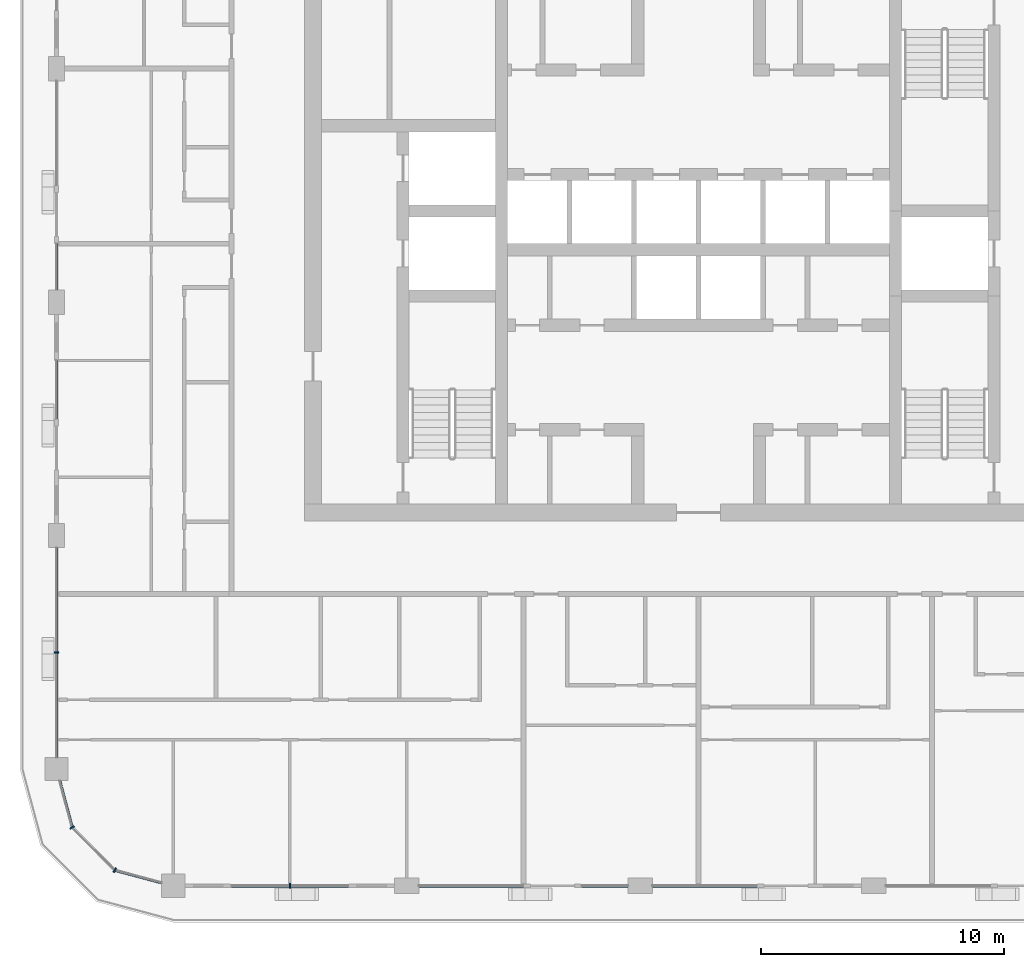
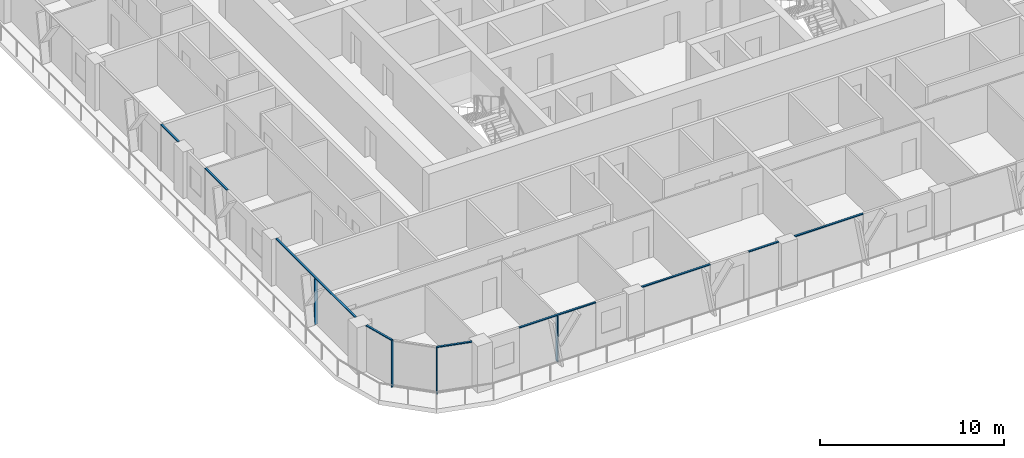
# One storey, part 2 of 22: 13 members, 7 elements without a shape of their own.
"""IFC4 building model written with IfcOpenShell, lengths in metres."""

from ifc_helpers import new_model, si_unit, direction, frame, origin, origin_2d, place, context, subcontext, project, spatial, rectangle, extrude, material, layer, layer_set, material_profile, profile_set, type_object, element, aggregate, save


model = new_model("IFC4")

# Units and contexts
model_context = context("Model", 3, precision=1e-05, world=origin(), true_north=direction((0.0, 1.0)))
body_context = subcontext(model_context, "Body", "Model", "MODEL_VIEW")
ifc_project = project(units=[si_unit("LENGTHUNIT", "METRE"), si_unit("AREAUNIT", "SQUARE_METRE"), si_unit("VOLUMEUNIT", "CUBIC_METRE"), si_unit("PLANEANGLEUNIT", "RADIAN"), si_unit("MASSUNIT", "GRAM", prefix="KILO")], contexts=[model_context])

# Site, building, storey
site_placement = place(None, origin())
site = spatial("IfcSite", under=ifc_project, at=site_placement, CompositionType="ELEMENT")
building_placement = place(site_placement, origin())
building = spatial("IfcBuilding", under=site, at=building_placement, Name="Madar Terraces", CompositionType="ELEMENT")
storey_placement = place(building_placement, frame((0.0, 0.0, 199.89990234375)))
storey = spatial("IfcBuildingStorey", under=building, at=storey_placement, Name="L52", CompositionType="ELEMENT", Elevation=199.89990234375)

# Curtain wall, member
ifc_material_1 = material(Name="Glass, ceramic frit dark grey, with black aluminium frame", Category="aluminium")
ifc_layer = layer(ifc_material_1, 0.199951171875)
ifc_layer_set = layer_set([ifc_layer], Name="Facade curtain wall, fritted glass")
curtain_wall_type = type_object("IfcCurtainWallType", Name="Facade curtain wall, fritted glass", PredefinedType="NOTDEFINED", material=ifc_layer_set)
curtain_wall_1_placement = place(storey_placement, origin())
curtain_wall_1 = element("IfcCurtainWall", 1, at=curtain_wall_1_placement, inside=storey, type_object=curtain_wall_type, Name="Outer skin curtain wall south bay 1", PredefinedType="NOTDEFINED")
ifc_material_2 = material(Name="Aluminium, black anodised", Category="aluminium")
ifc_material_profile_1 = material_profile(ifc_material_2, rectangle(XDim=0.199951171875, YDim=0.06005859375, at=origin_2d()), Name="Facade mullion 60x200")
ifc_profile_set_1 = profile_set([ifc_material_profile_1], Name="Aluminium, black anodised")
member_type_1 = type_object("IfcMemberType", Name="Facade mullion 60x200", PredefinedType="MULLION", material=ifc_profile_set_1)
member_1_placement = place(storey_placement, frame((14.39990234375, 0.0, 0.0), z_axis=(0.0, 0.0, 1.0), x_axis=(0.0, 1.0, 0.0)))
member_1 = element("IfcMember", 2, at=member_1_placement, type_object=member_type_1, Name="Mullion 1", PredefinedType="MULLION", context=body_context, shape_type="SweptSolid", body=[
    extrude(rectangle(XDim=0.199951171875, YDim=0.06005859375, at=origin_2d()), origin(), (0.0, 0.0, 1.0), 3.0400390625),
])

curtain_wall_2_placement = place(storey_placement, origin())
curtain_wall_2 = element("IfcCurtainWall", 3, at=curtain_wall_2_placement, inside=storey, type_object=curtain_wall_type, Name="Outer skin curtain wall west bay 4", PredefinedType="NOTDEFINED")
member_2_placement = place(storey_placement, frame((4.800048828125, 9.60009765625, 0.0), z_axis=(0.0, 0.0, 1.0), x_axis=(1.0, 0.0, 0.0)))
member_2 = element("IfcMember", 4, at=member_2_placement, type_object=member_type_1, Name="Mullion 1", PredefinedType="MULLION", context=body_context, shape_type="SweptSolid", body=[
    extrude(rectangle(XDim=0.199951171875, YDim=0.06005859375, at=origin_2d()), origin(), (0.0, 0.0, 1.0), 3.0400390625),
])

# Curtain wall, members
curtain_wall_3_placement = place(storey_placement, origin())
curtain_wall_3 = element("IfcCurtainWall", 5, at=curtain_wall_3_placement, inside=storey, type_object=curtain_wall_type, Name="Outer skin curtain wall south-west corner", PredefinedType="NOTDEFINED")
member_3_placement = place(storey_placement, frame((5.443115234375, 2.39990234375, 0.0), z_axis=(0.0, 0.0, 1.0), x_axis=(0.866025409797, 0.499999989586, 0.0)))
member_3 = element("IfcMember", 6, at=member_3_placement, type_object=member_type_1, Name="Mullion 1", PredefinedType="MULLION", context=body_context, shape_type="SweptSolid", body=[
    extrude(rectangle(XDim=0.199951171875, YDim=0.06005859375, at=origin_2d()), origin(), (0.0, 0.0, 1.0), 3.0400390625),
])
member_4_placement = place(storey_placement, frame((7.199951171875, 0.64306640625, 0.0), z_axis=(0.0, 0.0, 1.0), x_axis=(0.499999989586, 0.866025409797, 0.0)))
member_4 = element("IfcMember", 7, at=member_4_placement, type_object=member_type_1, Name="Mullion 2", PredefinedType="MULLION", context=body_context, shape_type="SweptSolid", body=[
    extrude(rectangle(XDim=0.199951171875, YDim=0.06005859375, at=origin_2d()), origin(), (0.0, 0.0, 1.0), 3.0400390625),
])

# Member
ifc_material_3 = material(Name="Aluminium, black anodised", Category="aluminium")
ifc_material_profile_2 = material_profile(ifc_material_3, rectangle(XDim=0.1201171875, YDim=0.06005859375, at=origin_2d()), Name="Facade transom 60x120")
ifc_profile_set_2 = profile_set([ifc_material_profile_2], Name="Aluminium, black anodised")
member_type_2 = type_object("IfcMemberType", Name="Facade transom 60x120", PredefinedType="USERDEFINED", material=ifc_profile_set_2)
member_5_placement = place(storey_placement, frame((12.0, 0.0, 3.070068359375), z_axis=(1.0, 0.0, 0.0), x_axis=(0.0, 1.0, 0.0)))
member_5 = element("IfcMember", 8, at=member_5_placement, type_object=member_type_2, Name="Transom 1", ObjectType="TRANSOM", PredefinedType="USERDEFINED", context=body_context, shape_type="SweptSolid", body=[
    extrude(rectangle(XDim=0.1201171875, YDim=0.06005859375, at=origin_2d()), origin(), (0.0, 0.0, 1.0), 4.800048828125),
])

aggregate(curtain_wall_1, [member_1, member_5])

# Curtain wall, members
curtain_wall_4_placement = place(storey_placement, origin())
curtain_wall_4 = element("IfcCurtainWall", 9, at=curtain_wall_4_placement, inside=storey, type_object=curtain_wall_type, Name="Outer skin curtain wall south bay 2", PredefinedType="NOTDEFINED")
member_6_placement = place(storey_placement, frame((19.699951171875, 0.0, 3.070068359375), z_axis=(1.0, 0.0, 0.0), x_axis=(0.0, 1.0, 0.0)))
member_6 = element("IfcMember", 10, at=member_6_placement, type_object=member_type_2, Name="Transom 1", ObjectType="TRANSOM", PredefinedType="USERDEFINED", context=body_context, shape_type="SweptSolid", body=[
    extrude(rectangle(XDim=0.1201171875, YDim=0.06005859375, at=origin_2d()), origin(), (0.0, 0.0, 1.0), 4.300048828125),
])
member_7_placement = place(storey_placement, frame((26.39990234375, 0.0, 3.070068359375), z_axis=(1.0, 0.0, 0.0), x_axis=(0.0, 1.0, 0.0)))
member_7 = element("IfcMember", 11, at=member_7_placement, type_object=member_type_2, Name="Transom 2", ObjectType="TRANSOM", PredefinedType="USERDEFINED", context=body_context, shape_type="SweptSolid", body=[
    extrude(rectangle(XDim=0.1201171875, YDim=0.06005859375, at=origin_2d()), origin(), (0.0, 0.0, 1.0), 1.900146484375),
])
aggregate(curtain_wall_4, [member_6, member_7])

# Curtain wall, member
curtain_wall_5_placement = place(storey_placement, origin())
curtain_wall_5 = element("IfcCurtainWall", 12, at=curtain_wall_5_placement, inside=storey, type_object=curtain_wall_type, Name="Outer skin curtain wall south bay 3", PredefinedType="NOTDEFINED")
member_8_placement = place(storey_placement, frame((29.300048828125, 0.0, 3.070068359375), z_axis=(1.0, 0.0, 0.0), x_axis=(0.0, 1.0, 0.0)))
member_8 = element("IfcMember", 13, at=member_8_placement, type_object=member_type_2, Name="Transom 1", ObjectType="TRANSOM", PredefinedType="USERDEFINED", context=body_context, shape_type="SweptSolid", body=[
    extrude(rectangle(XDim=0.1201171875, YDim=0.06005859375, at=origin_2d()), origin(), (0.0, 0.0, 1.0), 4.300048828125),
])
aggregate(curtain_wall_5, [member_8])

curtain_wall_6_placement = place(storey_placement, origin())
curtain_wall_6 = element("IfcCurtainWall", 14, at=curtain_wall_6_placement, inside=storey, type_object=curtain_wall_type, Name="Outer skin curtain wall west bay 2", PredefinedType="NOTDEFINED")
member_9_placement = place(storey_placement, frame((4.800048828125, 26.39990234375, 3.070068359375), z_axis=(0.0, -1.0, 0.0), x_axis=(1.0, 0.0, 0.0)))
member_9 = element("IfcMember", 15, at=member_9_placement, type_object=member_type_2, Name="Transom 2", ObjectType="TRANSOM", PredefinedType="USERDEFINED", context=body_context, shape_type="SweptSolid", body=[
    extrude(rectangle(XDim=0.1201171875, YDim=0.06005859375, at=origin_2d()), origin(), (0.0, 0.0, 1.0), 1.89990234375),
])
aggregate(curtain_wall_6, [member_9])

curtain_wall_7_placement = place(storey_placement, origin())
curtain_wall_7 = element("IfcCurtainWall", 16, at=curtain_wall_7_placement, inside=storey, type_object=curtain_wall_type, Name="Outer skin curtain wall west bay 3", PredefinedType="NOTDEFINED")
member_10_placement = place(storey_placement, frame((4.800048828125, 21.60009765625, 3.070068359375), z_axis=(0.0, -1.0, 0.0), x_axis=(1.0, 0.0, 0.0)))
member_10 = element("IfcMember", 17, at=member_10_placement, type_object=member_type_2, Name="Transom 1", ObjectType="TRANSOM", PredefinedType="USERDEFINED", context=body_context, shape_type="SweptSolid", body=[
    extrude(rectangle(XDim=0.1201171875, YDim=0.06005859375, at=origin_2d()), origin(), (0.0, 0.0, 1.0), 2.400146484375),
])
aggregate(curtain_wall_7, [member_10])

# Member
member_11_placement = place(storey_placement, frame((4.800048828125, 13.89990234375, 3.070068359375), z_axis=(0.0, -1.0, 0.0), x_axis=(1.0, 0.0, 0.0)))
member_11 = element("IfcMember", 18, at=member_11_placement, type_object=member_type_2, Name="Transom 1", ObjectType="TRANSOM", PredefinedType="USERDEFINED", context=body_context, shape_type="SweptSolid", body=[
    extrude(rectangle(XDim=0.1201171875, YDim=0.06005859375, at=origin_2d()), origin(), (0.0, 0.0, 1.0), 8.625),
])

aggregate(curtain_wall_2, [member_2, member_11])

member_12_placement = place(storey_placement, frame((4.92724609375, 4.324951171875, 3.070068359375), z_axis=(0.258831412352, -0.96592251241, 0.0), x_axis=(0.96592251241, 0.258831412352, 0.0)))
member_12 = element("IfcMember", 19, at=member_12_placement, type_object=member_type_2, Name="Transom 1", ObjectType="TRANSOM", PredefinedType="USERDEFINED", context=body_context, shape_type="SweptSolid", body=[
    extrude(rectangle(XDim=0.1201171875, YDim=0.06005859375, at=origin_2d()), origin(), (0.0, 0.0, 1.0), 1.962890625),
])

member_13_placement = place(storey_placement, frame((7.22900390625, 0.63525390625, 3.070068359375), z_axis=(0.96592251241, -0.258831412352, 0.0), x_axis=(0.258831412352, 0.96592251241, 0.0)))
member_13 = element("IfcMember", 20, at=member_13_placement, type_object=member_type_2, Name="Transom 3", ObjectType="TRANSOM", PredefinedType="USERDEFINED", context=body_context, shape_type="SweptSolid", body=[
    extrude(rectangle(XDim=0.1201171875, YDim=0.06005859375, at=origin_2d()), origin(), (0.0, 0.0, 1.0), 1.962890625),
])

aggregate(curtain_wall_3, [member_3, member_12, member_4, member_13])

save(model, "model.ifc")
